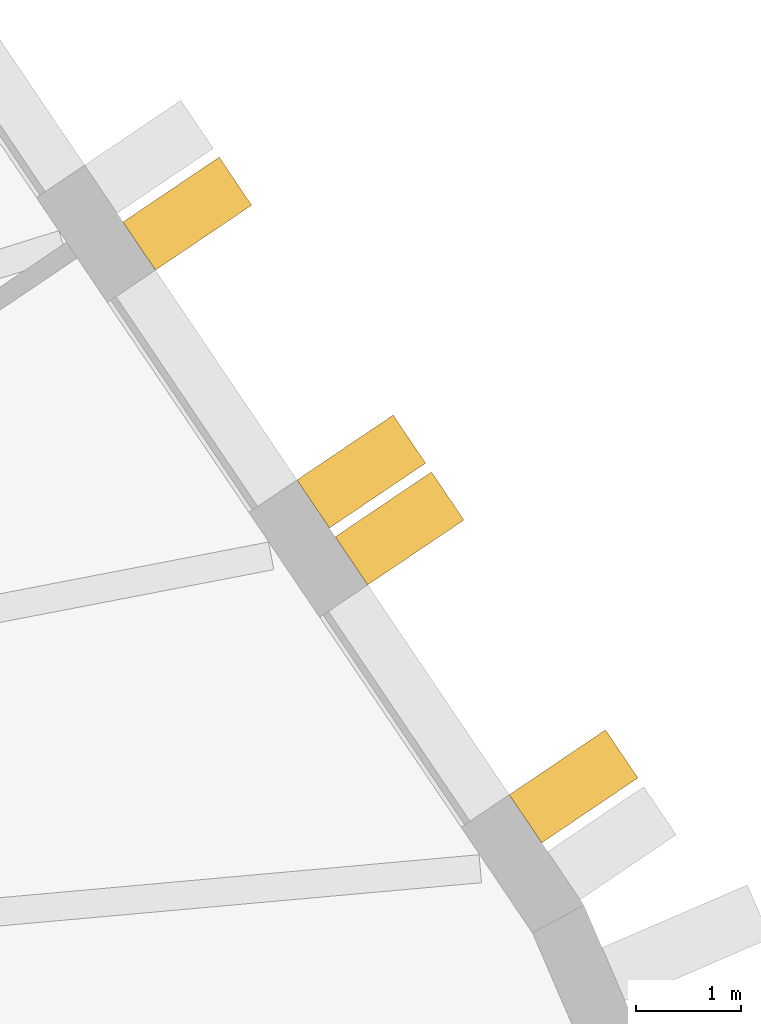
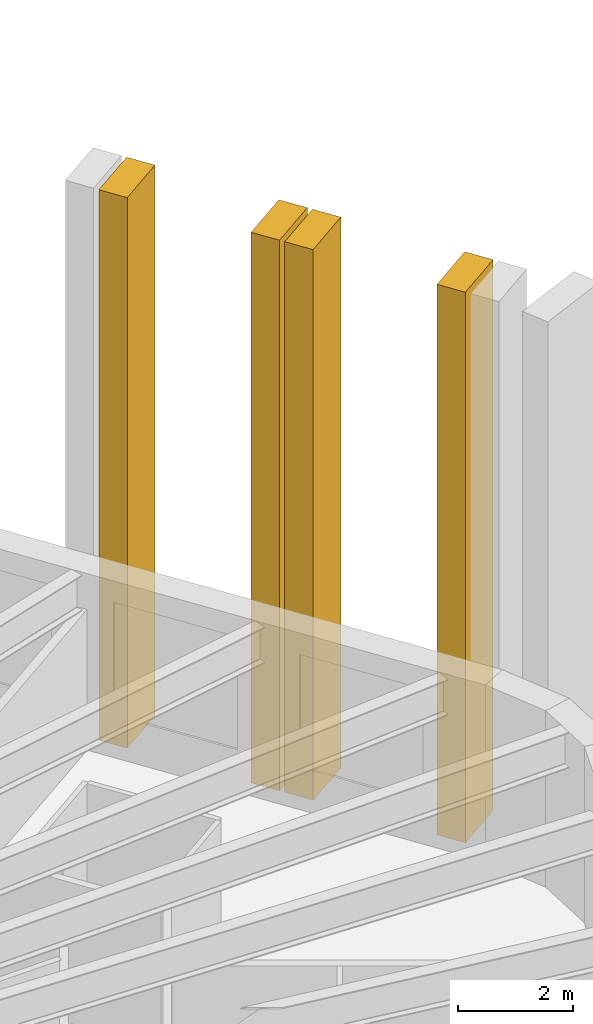
# One storey, part 13 of 13: 4 shading devices.
"""IFC4 building model written with IfcOpenShell, lengths in metres."""

from ifc_helpers import new_model, si_unit, direction, frame, origin, place, context, subcontext, project, spatial, polyline, outline, extrude, material, layer, layer_set, type_object, element, save


model = new_model("IFC4")

# Units and contexts
model_context = context("Model", 3, precision=1e-05, world=origin(), true_north=direction((0.0, 1.0)))
body_context = subcontext(model_context, "Body", "Model", "MODEL_VIEW")
ifc_project = project(units=[si_unit("LENGTHUNIT", "METRE"), si_unit("AREAUNIT", "SQUARE_METRE"), si_unit("VOLUMEUNIT", "CUBIC_METRE"), si_unit("PLANEANGLEUNIT", "RADIAN"), si_unit("MASSUNIT", "GRAM", prefix="KILO")], contexts=[model_context])

# Site, building, storey
site_placement = place(None, origin())
site = spatial("IfcSite", under=ifc_project, at=site_placement, CompositionType="ELEMENT")
building_placement = place(site_placement, origin())
building = spatial("IfcBuilding", under=site, at=building_placement, Name="Tarnside Tower", CompositionType="ELEMENT")
storey_placement = place(building_placement, frame((0.0, 0.0, 123.300048828125)))
storey = spatial("IfcBuildingStorey", under=building, at=storey_placement, Name="L28", CompositionType="ELEMENT", Elevation=123.300048828125)

# Shading devices
ifc_material = material(Name="Concrete C50/60 white precast", Category="concrete")
ifc_layer = layer(ifc_material, 0.550048828125)
ifc_layer_set = layer_set([ifc_layer], Name="Precast fin 550 x 1100")
shading_device_type = type_object("IfcShadingDeviceType", Name="Precast fin 550 x 1100", PredefinedType="USERDEFINED", material=ifc_layer_set)
for number, where, z_axis, x_axis, name in (
    (1, (33.4189453125, 4.10302734375, -0.150146484375), (0.559192903471, -0.829037572555, 0.0), (0.829037572555, 0.559192903471, 0.0), "Precast fin"),
    (2, (31.769287109375, 6.548583984375, -0.150146484375), (0.559192903471, -0.829037572555, 0.0), (0.829037572555, 0.559192903471, 0.0), "Precast fin"),
    (3, (31.406005859375, 7.087646484375, -0.150146484375), (0.559192903471, -0.829037572555, 0.0), (0.829037572555, 0.559192903471, 0.0), "Precast fin"),
    (4, (29.75634765625, 9.533203125, -0.150146484375), (0.559192903471, -0.829037572555, 0.0), (0.829037572555, 0.559192903471, 0.0), "Precast fin"),
):
    element("IfcShadingDevice", number, at=place(storey_placement, frame(where, z_axis=z_axis, x_axis=x_axis)), inside=storey, type_object=shading_device_type, Name=name, ObjectType="FIN", PredefinedType="USERDEFINED", context=body_context, shape_type="SweptSolid", body=[
        extrude(outline(polyline([(0.0, 0.0), (1.10009765625, 0.0), (1.10009765625, 11.7001953125), (0.0, 11.7001953125), (0.0, 0.0)])), frame((0.0, 0.0, -0.27490234375)), (0.0, 0.0, 1.0), 0.550048828125),
    ])

save(model, "model.ifc")
